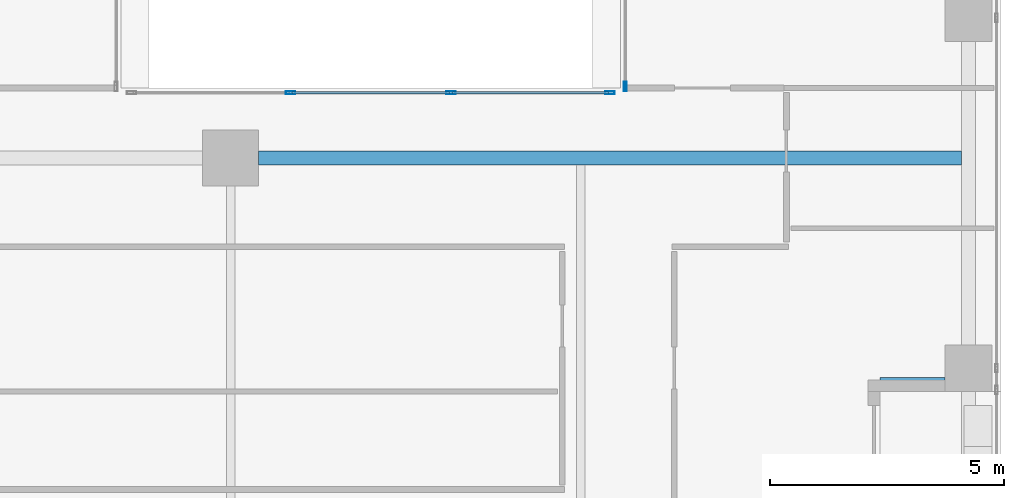
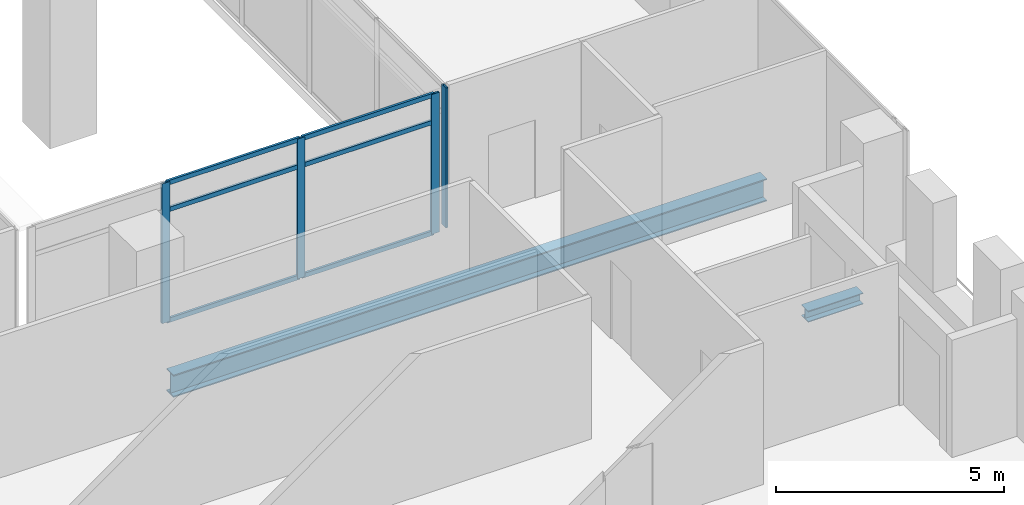
# One storey, part 17 of 38: 10 members, 2 beams, 2 elements without a shape of their own.
"""IFC4 building model written with IfcOpenShell, lengths in metres."""

from ifc_helpers import new_model, si_unit, direction, frame, origin, origin_2d, place, context, subcontext, project, spatial, hollow_rectangle, i_section, extrude, source, transform, mapped, material, material_profile, profile_set, type_object, element, aggregate, save


model = new_model("IFC4")

# Units and contexts
model_context = context("Model", 3, precision=1e-05, world=origin(), true_north=direction((0.0, 1.0)))
body_context = subcontext(model_context, "Body", "Model", "MODEL_VIEW")
ifc_project = project(units=[si_unit("LENGTHUNIT", "METRE"), si_unit("AREAUNIT", "SQUARE_METRE"), si_unit("VOLUMEUNIT", "CUBIC_METRE"), si_unit("PLANEANGLEUNIT", "RADIAN"), si_unit("MASSUNIT", "GRAM", prefix="KILO")], contexts=[model_context])

# Site, building, storey
site_placement = place(None, origin())
site = spatial("IfcSite", under=ifc_project, at=site_placement, CompositionType="ELEMENT")
building_placement = place(site_placement, origin())
building = spatial("IfcBuilding", under=site, at=building_placement, Name="Khomas Fold Tower", CompositionType="ELEMENT")
storey_placement = place(building_placement, frame((0.0, 0.0, 172.699951171875)))
storey = spatial("IfcBuildingStorey", under=building, at=storey_placement, Name="L37", CompositionType="ELEMENT", Elevation=172.699951171875)

# Beams
ifc_material_1 = material(Name="Steel S355", Category="steel")
ifc_material_profile_1 = material_profile(ifc_material_1, i_section(OverallWidth=0.300048828125, OverallDepth=0.60009765625, WebThickness=0.015380859375, FlangeThickness=0.030029296875, at=origin_2d()), Name="HE 600 B")
ifc_profile_set_1 = profile_set([ifc_material_profile_1], Name="Steel S355")
beam_type_1 = type_object("IfcBeamType", Name="HE 600 B beam GB5", PredefinedType="BEAM", material=ifc_profile_set_1)
shared_shape_1 = source(origin(), body_context, "Body", "SweptSolid", [
    extrude(i_section(OverallWidth=0.300048828125, OverallDepth=0.60009765625, WebThickness=0.015380859375, FlangeThickness=0.030029296875, at=origin_2d()), origin(), (0.0, 0.0, 1.0), 15.0498046875),
])
beam_1_placement = place(storey_placement, frame((35.10009765625, 31.5, -0.550048828125), z_axis=(1.0, 0.0, 0.0), x_axis=(0.0, 1.0, 0.0)))
element("IfcBeam", 1, at=beam_1_placement, inside=storey, type_object=beam_type_1, Name="GB5", PredefinedType="BEAM", context=body_context, shape_type="MappedRepresentation", body=[
    mapped(shared_shape_1, transform((0.0, 0.0, 0.0))),
])
ifc_material_2 = material(Name="Steel S355", Category="steel")
ifc_material_profile_2 = material_profile(ifc_material_2, i_section(OverallWidth=0.300048828125, OverallDepth=0.300048828125, WebThickness=0.010986328125, FlangeThickness=0.01904296875, at=origin_2d()), Name="HE 300 B")
ifc_profile_set_2 = profile_set([ifc_material_profile_2], Name="Steel S355")
beam_type_2 = type_object("IfcBeamType", Name="HE 300 B beam BB1", PredefinedType="BEAM", material=ifc_profile_set_2)
shared_shape_2 = source(origin(), body_context, "Body", "SweptSolid", [
    extrude(i_section(OverallWidth=0.300048828125, OverallDepth=0.300048828125, WebThickness=0.010986328125, FlangeThickness=0.01904296875, at=origin_2d()), origin(), (0.0, 0.0, 1.0), 1.400146484375),
])
beam_2_placement = place(storey_placement, frame((48.39990234375, 26.64990234375, -0.39990234375), z_axis=(1.0, 0.0, 0.0), x_axis=(0.0, 1.0, 0.0)))
element("IfcBeam", 2, at=beam_2_placement, inside=storey, type_object=beam_type_2, Name="BB1", PredefinedType="BEAM", context=body_context, shape_type="MappedRepresentation", body=[
    mapped(shared_shape_2, transform((0.0, 0.0, 0.0))),
])

# Curtain wall, member
ifc_material_3 = material(Name="Aluminium framed double glazing", Category="aluminium")
curtain_wall_type = type_object("IfcCurtainWallType", Name="Notch glazing GN-CW", PredefinedType="NOTDEFINED", material=ifc_material_3)
curtain_wall_1_placement = place(storey_placement, origin())
curtain_wall_1 = element("IfcCurtainWall", 3, at=curtain_wall_1_placement, inside=storey, type_object=curtain_wall_type, Name="Notch glazing run", PredefinedType="NOTDEFINED")
ifc_material_4 = material(Name="Aluminium", Category="aluminium")
ifc_material_profile_3 = material_profile(ifc_material_4, hollow_rectangle(XDim=0.06005859375, YDim=0.199951171875, WallThickness=0.00390625, at=origin_2d()), Name="Notch glazing mullion GN-CW-M")
ifc_profile_set_3 = profile_set([ifc_material_profile_3], Name="Aluminium")
member_type_1 = type_object("IfcMemberType", Name="Notch glazing mullion GN-CW-M", PredefinedType="MULLION", material=ifc_profile_set_3)
shared_shape_3 = source(origin(), body_context, "Body", "SweptSolid", [
    extrude(hollow_rectangle(XDim=0.06005859375, YDim=0.199951171875, WallThickness=0.00390625, at=origin_2d()), origin(), (0.0, 0.0, 1.0), 3.75),
])
member_1_placement = place(storey_placement, frame((42.949951171875, 33.030029296875, 0.0), z_axis=(0.0, 0.0, 1.0), x_axis=(1.0, 0.0, 0.0)))
member_1 = element("IfcMember", 4, at=member_1_placement, type_object=member_type_1, Name="GN-CW mullion 7", PredefinedType="MULLION", context=body_context, shape_type="MappedRepresentation", body=[
    mapped(shared_shape_3, transform((0.0, 0.0, 0.0))),
])
aggregate(curtain_wall_1, [member_1])

# Curtain wall, members
curtain_wall_2_placement = place(storey_placement, origin())
curtain_wall_2 = element("IfcCurtainWall", 5, at=curtain_wall_2_placement, inside=storey, type_object=curtain_wall_type, Name="Notch glazing run", PredefinedType="NOTDEFINED")
member_2_placement = place(storey_placement, frame((42.6201171875, 32.89990234375, 0.0), z_axis=(0.0, 0.0, 1.0), x_axis=(0.0, -1.0, 0.0)))
member_2 = element("IfcMember", 6, at=member_2_placement, type_object=member_type_1, Name="GN-CW mullion 1", PredefinedType="MULLION", context=body_context, shape_type="MappedRepresentation", body=[
    mapped(shared_shape_3, transform((0.0, 0.0, 0.0))),
])
member_3_placement = place(storey_placement, frame((39.216552734375, 32.89990234375, 0.0), z_axis=(0.0, 0.0, 1.0), x_axis=(0.0, -1.0, 0.0)))
member_3 = element("IfcMember", 7, at=member_3_placement, type_object=member_type_1, Name="GN-CW mullion 2", PredefinedType="MULLION", context=body_context, shape_type="MappedRepresentation", body=[
    mapped(shared_shape_3, transform((0.0, 0.0, 0.0))),
])
member_4_placement = place(storey_placement, frame((35.783447265625, 32.89990234375, 0.0), z_axis=(0.0, 0.0, 1.0), x_axis=(0.0, -1.0, 0.0)))
member_4 = element("IfcMember", 8, at=member_4_placement, type_object=member_type_1, Name="GN-CW mullion 3", PredefinedType="MULLION", context=body_context, shape_type="MappedRepresentation", body=[
    mapped(shared_shape_3, transform((0.0, 0.0, 0.0))),
])
ifc_material_5 = material(Name="Aluminium", Category="aluminium")
ifc_material_profile_4 = material_profile(ifc_material_5, hollow_rectangle(XDim=0.06005859375, YDim=0.1201171875, WallThickness=0.00390625, at=origin_2d()), Name="Notch glazing transom GN-CW-T")
ifc_profile_set_4 = profile_set([ifc_material_profile_4], Name="Aluminium")
member_type_2 = type_object("IfcMemberType", Name="Notch glazing transom GN-CW-T", PredefinedType="USERDEFINED", material=ifc_profile_set_4)
shared_shape_4 = source(origin(), body_context, "Body", "SweptSolid", [
    extrude(hollow_rectangle(XDim=0.06005859375, YDim=0.1201171875, WallThickness=0.00390625, at=origin_2d()), origin(), (0.0, 0.0, 1.0), 3.343505859375),
])
member_5_placement = place(storey_placement, frame((42.590087890625, 32.89990234375, 0.030029296875), z_axis=(-1.0, 0.0, 0.0), x_axis=(0.0, -1.0, 0.0)))
member_5 = element("IfcMember", 9, at=member_5_placement, type_object=member_type_2, Name="GN-CW transom 1.1", ObjectType="TRANSOM", PredefinedType="USERDEFINED", context=body_context, shape_type="MappedRepresentation", body=[
    mapped(shared_shape_4, transform((0.0, 0.0, 0.0))),
])
member_6_placement = place(storey_placement, frame((42.590087890625, 32.89990234375, 3.0), z_axis=(-1.0, 0.0, 0.0), x_axis=(0.0, -1.0, 0.0)))
member_6 = element("IfcMember", 10, at=member_6_placement, type_object=member_type_2, Name="GN-CW transom 1.2", ObjectType="TRANSOM", PredefinedType="USERDEFINED", context=body_context, shape_type="MappedRepresentation", body=[
    mapped(shared_shape_4, transform((0.0, 0.0, 0.0))),
])
member_7_placement = place(storey_placement, frame((42.590087890625, 32.89990234375, 3.719970703125), z_axis=(-1.0, 0.0, 0.0), x_axis=(0.0, -1.0, 0.0)))
member_7 = element("IfcMember", 11, at=member_7_placement, type_object=member_type_2, Name="GN-CW transom 1.3", ObjectType="TRANSOM", PredefinedType="USERDEFINED", context=body_context, shape_type="MappedRepresentation", body=[
    mapped(shared_shape_4, transform((0.0, 0.0, 0.0))),
])
shared_shape_5 = source(origin(), body_context, "Body", "SweptSolid", [
    extrude(hollow_rectangle(XDim=0.06005859375, YDim=0.1201171875, WallThickness=0.00390625, at=origin_2d()), origin(), (0.0, 0.0, 1.0), 3.37353515625),
])
member_8_placement = place(storey_placement, frame((39.186767578125, 32.89990234375, 0.030029296875), z_axis=(-1.0, 0.0, 0.0), x_axis=(0.0, -1.0, 0.0)))
member_8 = element("IfcMember", 12, at=member_8_placement, type_object=member_type_2, Name="GN-CW transom 2.1", ObjectType="TRANSOM", PredefinedType="USERDEFINED", context=body_context, shape_type="MappedRepresentation", body=[
    mapped(shared_shape_5, transform((0.0, 0.0, 0.0))),
])
member_9_placement = place(storey_placement, frame((39.186767578125, 32.89990234375, 3.0), z_axis=(-1.0, 0.0, 0.0), x_axis=(0.0, -1.0, 0.0)))
member_9 = element("IfcMember", 13, at=member_9_placement, type_object=member_type_2, Name="GN-CW transom 2.2", ObjectType="TRANSOM", PredefinedType="USERDEFINED", context=body_context, shape_type="MappedRepresentation", body=[
    mapped(shared_shape_5, transform((0.0, 0.0, 0.0))),
])
member_10_placement = place(storey_placement, frame((39.186767578125, 32.89990234375, 3.719970703125), z_axis=(-1.0, 0.0, 0.0), x_axis=(0.0, -1.0, 0.0)))
member_10 = element("IfcMember", 14, at=member_10_placement, type_object=member_type_2, Name="GN-CW transom 2.3", ObjectType="TRANSOM", PredefinedType="USERDEFINED", context=body_context, shape_type="MappedRepresentation", body=[
    mapped(shared_shape_5, transform((0.0, 0.0, 0.0))),
])
aggregate(curtain_wall_2, [member_2, member_3, member_4, member_5, member_6, member_7, member_8, member_9, member_10])

save(model, "model.ifc")
